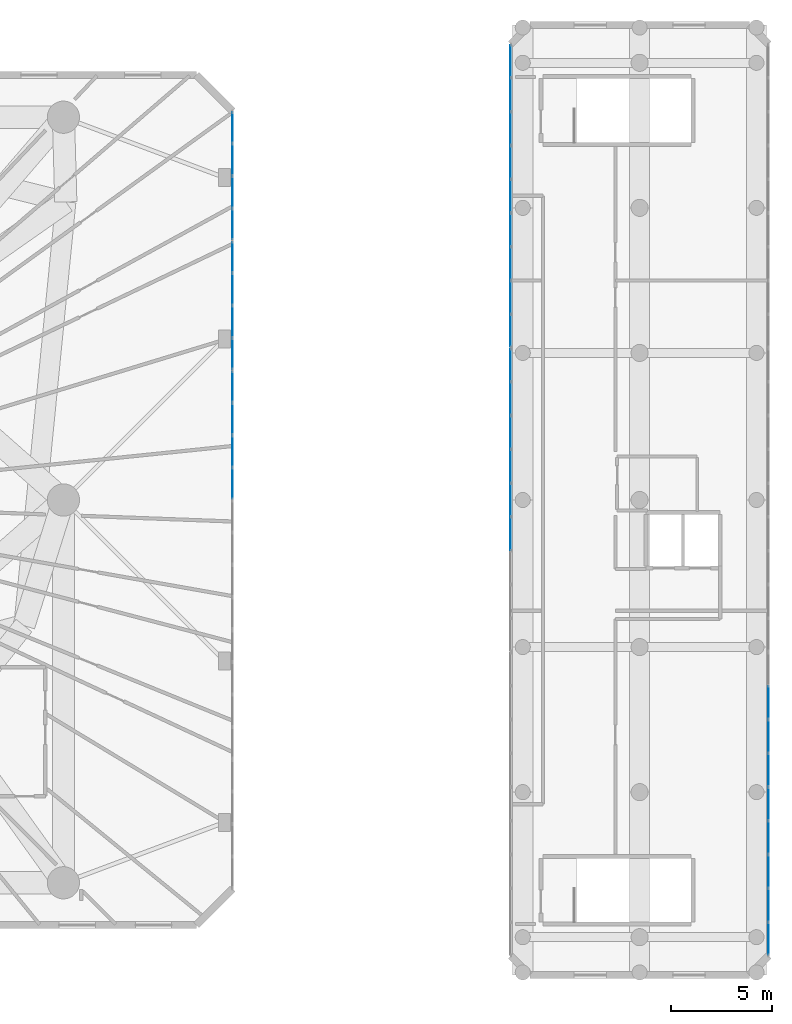
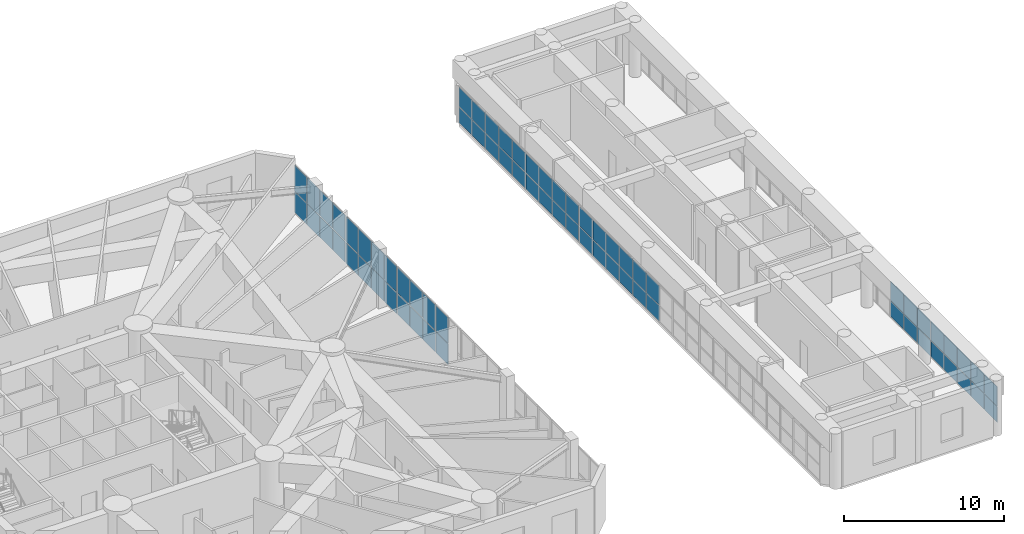
# One storey, part 11 of 22: 70 plates, 6 elements without a shape of their own.
"""IFC4 building model written with IfcOpenShell, lengths in metres."""

from ifc_helpers import new_model, si_unit, direction, frame, origin, origin_with_axes, origin_2d, place, context, subcontext, project, spatial, rectangle, extrude, source, transform, mapped, material, layer, layer_set, type_object, element, aggregate, save


model = new_model("IFC4")

# Units and contexts
model_context = context("Model", 3, precision=1e-05, world=origin(), true_north=direction((0.0, 1.0)))
body_context = subcontext(model_context, "Body", "Model", "MODEL_VIEW")
ifc_project = project(units=[si_unit("LENGTHUNIT", "METRE"), si_unit("AREAUNIT", "SQUARE_METRE"), si_unit("VOLUMEUNIT", "CUBIC_METRE"), si_unit("PLANEANGLEUNIT", "RADIAN"), si_unit("MASSUNIT", "GRAM", prefix="KILO")], contexts=[model_context])

# Site, building, storey
site_placement = place(None, origin())
site = spatial("IfcSite", under=ifc_project, at=site_placement, CompositionType="ELEMENT")
building_placement = place(site_placement, origin())
building = spatial("IfcBuilding", under=site, at=building_placement, Name="Karkom Vertical University and Central Library", CompositionType="ELEMENT")
storey_placement = place(building_placement, frame((0.0, 0.0, 18.0)))
storey = spatial("IfcBuildingStorey", under=building, at=storey_placement, Name="L04", CompositionType="ELEMENT", Elevation=18.0)

# Curtain wall, plates
ifc_material_1 = material(Name="Aluminium curtain-wall framing and low-E IGU", Category="aluminium")
ifc_layer_1 = layer(ifc_material_1, 0.199951171875)
ifc_layer_set_1 = layer_set([ifc_layer_1], Name="Aluminium curtain-wall framing and low-E IGU")
curtain_wall_type_1 = type_object("IfcCurtainWallType", Name="ENV-CW-4", PredefinedType="USERDEFINED", material=ifc_layer_set_1)
curtain_wall_1_placement = place(storey_placement, origin())
curtain_wall_1 = element("IfcCurtainWall", 1, at=curtain_wall_1_placement, inside=storey, type_object=curtain_wall_type_1, Name="Level 04 CW-4 Curtain Wall Level 04-CW4-3-4", ObjectType="UNITISED GLAZING", PredefinedType="USERDEFINED")
ifc_material_2 = material(Name="Solar-control low-E double glazing 32mm", Category="glass")
ifc_layer_2 = layer(ifc_material_2, 0.031982421875)
ifc_layer_set_2 = layer_set([ifc_layer_2], Name="Solar-control low-E double glazing 32mm")
plate_type_1 = type_object("IfcPlateType", Name="ENV-PLT-GLZ-32", PredefinedType="CURTAIN_PANEL", material=ifc_layer_set_2)
shared_shape_1 = source(origin_with_axes(), body_context, "Body", "SweptSolid", [
    extrude(rectangle(XDim=1.5107421875, YDim=0.031982421875, at=origin_2d()), origin(), (0.0, 0.0, 1.0), 1.57861328125),
])
plate_1_placement = place(storey_placement, frame((55.199951171875, 27.3203125, 0.06494140625), z_axis=(0.0, 0.0, 1.0), x_axis=(0.0, 1.0, 0.0)))
plate_1 = element("IfcPlate", 2, at=plate_1_placement, type_object=plate_type_1, Name="CW-4 panel 1.1", PredefinedType="CURTAIN_PANEL", context=body_context, shape_type="MappedRepresentation", body=[
    mapped(shared_shape_1, transform((0.0, 0.0, 0.0), scale=1.0)),
])
plate_2_placement = place(storey_placement, frame((55.199951171875, 32.11279296875, 0.06494140625), z_axis=(0.0, 0.0, 1.0), x_axis=(0.0, 1.0, 0.0)))
plate_2 = element("IfcPlate", 3, at=plate_2_placement, type_object=plate_type_1, Name="CW-4 panel 4.1", PredefinedType="CURTAIN_PANEL", context=body_context, shape_type="MappedRepresentation", body=[
    mapped(shared_shape_1, transform((0.0, 0.0, 0.0), scale=1.0)),
])

curtain_wall_2_placement = place(storey_placement, origin())
curtain_wall_2 = element("IfcCurtainWall", 4, at=curtain_wall_2_placement, inside=storey, type_object=curtain_wall_type_1, Name="Level 04 CW-4 Curtain Wall Level 04-CW4-3-5", ObjectType="UNITISED GLAZING", PredefinedType="USERDEFINED")
plate_3_placement = place(storey_placement, frame((55.199951171875, 33.753662109375, 0.06494140625), z_axis=(0.0, 0.0, 1.0), x_axis=(0.0, 1.0, 0.0)))
plate_3 = element("IfcPlate", 5, at=plate_3_placement, type_object=plate_type_1, Name="CW-4 panel 1.1", PredefinedType="CURTAIN_PANEL", context=body_context, shape_type="MappedRepresentation", body=[
    mapped(shared_shape_1, transform((0.0, 0.0, 0.0), scale=1.0)),
])
plate_4_placement = place(storey_placement, frame((55.199951171875, 38.54638671875, 0.06494140625), z_axis=(0.0, 0.0, 1.0), x_axis=(0.0, 1.0, 0.0)))
plate_4 = element("IfcPlate", 6, at=plate_4_placement, type_object=plate_type_1, Name="CW-4 panel 4.1", PredefinedType="CURTAIN_PANEL", context=body_context, shape_type="MappedRepresentation", body=[
    mapped(shared_shape_1, transform((0.0, 0.0, 0.0), scale=1.0)),
])

curtain_wall_3_placement = place(storey_placement, origin())
curtain_wall_3 = element("IfcCurtainWall", 7, at=curtain_wall_3_placement, inside=storey, type_object=curtain_wall_type_1, Name="Level 04 CW-4 Curtain Wall Level 04-CW4-3-6", ObjectType="UNITISED GLAZING", PredefinedType="USERDEFINED")
plate_5_placement = place(storey_placement, frame((55.199951171875, 40.18701171875, 0.06494140625), z_axis=(0.0, 0.0, 1.0), x_axis=(0.0, 1.0, 0.0)))
plate_5 = element("IfcPlate", 8, at=plate_5_placement, type_object=plate_type_1, Name="CW-4 panel 1.1", PredefinedType="CURTAIN_PANEL", context=body_context, shape_type="MappedRepresentation", body=[
    mapped(shared_shape_1, transform((0.0, 0.0, 0.0), scale=1.0)),
])
plate_6_placement = place(storey_placement, frame((55.199951171875, 44.9794921875, 0.06494140625), z_axis=(0.0, 0.0, 1.0), x_axis=(0.0, 1.0, 0.0)))
plate_6 = element("IfcPlate", 9, at=plate_6_placement, type_object=plate_type_1, Name="CW-4 panel 4.1", PredefinedType="CURTAIN_PANEL", context=body_context, shape_type="MappedRepresentation", body=[
    mapped(shared_shape_1, transform((0.0, 0.0, 0.0), scale=1.0)),
])

# Plate
shared_shape_2 = source(origin_with_axes(), body_context, "Body", "SweptSolid", [
    extrude(rectangle(XDim=1.5107421875, YDim=0.031982421875, at=origin_2d()), origin(), (0.0, 0.0, 1.0), 1.951416015625),
])
plate_7_placement = place(storey_placement, frame((55.199951171875, 27.3203125, 1.70849609375), z_axis=(0.0, 0.0, 1.0), x_axis=(0.0, 1.0, 0.0)))
plate_7 = element("IfcPlate", 10, at=plate_7_placement, type_object=plate_type_1, Name="CW-4 panel 1.2", PredefinedType="CURTAIN_PANEL", context=body_context, shape_type="MappedRepresentation", body=[
    mapped(shared_shape_2, transform((0.0, 0.0, 0.0), scale=1.0)),
])

plate_8_placement = place(storey_placement, frame((55.199951171875, 32.11279296875, 1.70849609375), z_axis=(0.0, 0.0, 1.0), x_axis=(0.0, 1.0, 0.0)))
plate_8 = element("IfcPlate", 11, at=plate_8_placement, type_object=plate_type_1, Name="CW-4 panel 4.2", PredefinedType="CURTAIN_PANEL", context=body_context, shape_type="MappedRepresentation", body=[
    mapped(shared_shape_2, transform((0.0, 0.0, 0.0), scale=1.0)),
])

plate_9_placement = place(storey_placement, frame((55.199951171875, 33.753662109375, 1.70849609375), z_axis=(0.0, 0.0, 1.0), x_axis=(0.0, 1.0, 0.0)))
plate_9 = element("IfcPlate", 12, at=plate_9_placement, type_object=plate_type_1, Name="CW-4 panel 1.2", PredefinedType="CURTAIN_PANEL", context=body_context, shape_type="MappedRepresentation", body=[
    mapped(shared_shape_2, transform((0.0, 0.0, 0.0), scale=1.0)),
])

plate_10_placement = place(storey_placement, frame((55.199951171875, 38.54638671875, 1.70849609375), z_axis=(0.0, 0.0, 1.0), x_axis=(0.0, 1.0, 0.0)))
plate_10 = element("IfcPlate", 13, at=plate_10_placement, type_object=plate_type_1, Name="CW-4 panel 4.2", PredefinedType="CURTAIN_PANEL", context=body_context, shape_type="MappedRepresentation", body=[
    mapped(shared_shape_2, transform((0.0, 0.0, 0.0), scale=1.0)),
])

plate_11_placement = place(storey_placement, frame((55.199951171875, 40.18701171875, 1.70849609375), z_axis=(0.0, 0.0, 1.0), x_axis=(0.0, 1.0, 0.0)))
plate_11 = element("IfcPlate", 14, at=plate_11_placement, type_object=plate_type_1, Name="CW-4 panel 1.2", PredefinedType="CURTAIN_PANEL", context=body_context, shape_type="MappedRepresentation", body=[
    mapped(shared_shape_2, transform((0.0, 0.0, 0.0), scale=1.0)),
])

plate_12_placement = place(storey_placement, frame((55.199951171875, 44.9794921875, 1.70849609375), z_axis=(0.0, 0.0, 1.0), x_axis=(0.0, 1.0, 0.0)))
plate_12 = element("IfcPlate", 15, at=plate_12_placement, type_object=plate_type_1, Name="CW-4 panel 4.2", PredefinedType="CURTAIN_PANEL", context=body_context, shape_type="MappedRepresentation", body=[
    mapped(shared_shape_2, transform((0.0, 0.0, 0.0), scale=1.0)),
])

shared_shape_3 = source(origin_with_axes(), body_context, "Body", "SweptSolid", [
    extrude(rectangle(XDim=1.543212890625, YDim=0.031982421875, at=origin_2d()), origin(), (0.0, 0.0, 1.0), 1.57861328125),
])
plate_13_placement = place(storey_placement, frame((55.199951171875, 28.91259765625, 0.06494140625), z_axis=(0.0, 0.0, 1.0), x_axis=(0.0, 1.0, 0.0)))
plate_13 = element("IfcPlate", 16, at=plate_13_placement, type_object=plate_type_1, Name="CW-4 panel 2.1", PredefinedType="CURTAIN_PANEL", context=body_context, shape_type="MappedRepresentation", body=[
    mapped(shared_shape_3, transform((0.0, 0.0, 0.0), scale=1.0)),
])

plate_14_placement = place(storey_placement, frame((55.199951171875, 30.520751953125, 0.06494140625), z_axis=(0.0, 0.0, 1.0), x_axis=(0.0, 1.0, 0.0)))
plate_14 = element("IfcPlate", 17, at=plate_14_placement, type_object=plate_type_1, Name="CW-4 panel 3.1", PredefinedType="CURTAIN_PANEL", context=body_context, shape_type="MappedRepresentation", body=[
    mapped(shared_shape_3, transform((0.0, 0.0, 0.0), scale=1.0)),
])

plate_15_placement = place(storey_placement, frame((55.199951171875, 41.779296875, 0.06494140625), z_axis=(0.0, 0.0, 1.0), x_axis=(0.0, 1.0, 0.0)))
plate_15 = element("IfcPlate", 18, at=plate_15_placement, type_object=plate_type_1, Name="CW-4 panel 2.1", PredefinedType="CURTAIN_PANEL", context=body_context, shape_type="MappedRepresentation", body=[
    mapped(shared_shape_3, transform((0.0, 0.0, 0.0), scale=1.0)),
])

plate_16_placement = place(storey_placement, frame((55.199951171875, 43.387451171875, 0.06494140625), z_axis=(0.0, 0.0, 1.0), x_axis=(0.0, 1.0, 0.0)))
plate_16 = element("IfcPlate", 19, at=plate_16_placement, type_object=plate_type_1, Name="CW-4 panel 3.1", PredefinedType="CURTAIN_PANEL", context=body_context, shape_type="MappedRepresentation", body=[
    mapped(shared_shape_3, transform((0.0, 0.0, 0.0), scale=1.0)),
])

shared_shape_4 = source(origin_with_axes(), body_context, "Body", "SweptSolid", [
    extrude(rectangle(XDim=1.543212890625, YDim=0.031982421875, at=origin_2d()), origin(), (0.0, 0.0, 1.0), 1.951416015625),
])
plate_17_placement = place(storey_placement, frame((55.199951171875, 28.91259765625, 1.70849609375), z_axis=(0.0, 0.0, 1.0), x_axis=(0.0, 1.0, 0.0)))
plate_17 = element("IfcPlate", 20, at=plate_17_placement, type_object=plate_type_1, Name="CW-4 panel 2.2", PredefinedType="CURTAIN_PANEL", context=body_context, shape_type="MappedRepresentation", body=[
    mapped(shared_shape_4, transform((0.0, 0.0, 0.0), scale=1.0)),
])

plate_18_placement = place(storey_placement, frame((55.199951171875, 30.520751953125, 1.70849609375), z_axis=(0.0, 0.0, 1.0), x_axis=(0.0, 1.0, 0.0)))
plate_18 = element("IfcPlate", 21, at=plate_18_placement, type_object=plate_type_1, Name="CW-4 panel 3.2", PredefinedType="CURTAIN_PANEL", context=body_context, shape_type="MappedRepresentation", body=[
    mapped(shared_shape_4, transform((0.0, 0.0, 0.0), scale=1.0)),
])

aggregate(curtain_wall_1, [plate_1, plate_7, plate_13, plate_17, plate_14, plate_18, plate_2, plate_8])

plate_19_placement = place(storey_placement, frame((55.199951171875, 41.779296875, 1.70849609375), z_axis=(0.0, 0.0, 1.0), x_axis=(0.0, 1.0, 0.0)))
plate_19 = element("IfcPlate", 22, at=plate_19_placement, type_object=plate_type_1, Name="CW-4 panel 2.2", PredefinedType="CURTAIN_PANEL", context=body_context, shape_type="MappedRepresentation", body=[
    mapped(shared_shape_4, transform((0.0, 0.0, 0.0), scale=1.0)),
])

plate_20_placement = place(storey_placement, frame((55.199951171875, 43.387451171875, 1.70849609375), z_axis=(0.0, 0.0, 1.0), x_axis=(0.0, 1.0, 0.0)))
plate_20 = element("IfcPlate", 23, at=plate_20_placement, type_object=plate_type_1, Name="CW-4 panel 3.2", PredefinedType="CURTAIN_PANEL", context=body_context, shape_type="MappedRepresentation", body=[
    mapped(shared_shape_4, transform((0.0, 0.0, 0.0), scale=1.0)),
])

aggregate(curtain_wall_3, [plate_5, plate_11, plate_15, plate_19, plate_16, plate_20, plate_6, plate_12])

shared_shape_5 = source(origin_with_axes(), body_context, "Body", "SweptSolid", [
    extrude(rectangle(XDim=1.54345703125, YDim=0.031982421875, at=origin_2d()), origin(), (0.0, 0.0, 1.0), 1.57861328125),
])
plate_21_placement = place(storey_placement, frame((55.199951171875, 35.345703125, 0.06494140625), z_axis=(0.0, 0.0, 1.0), x_axis=(0.0, 1.0, 0.0)))
plate_21 = element("IfcPlate", 24, at=plate_21_placement, type_object=plate_type_1, Name="CW-4 panel 2.1", PredefinedType="CURTAIN_PANEL", context=body_context, shape_type="MappedRepresentation", body=[
    mapped(shared_shape_5, transform((0.0, 0.0, 0.0), scale=1.0)),
])

plate_22_placement = place(storey_placement, frame((55.199951171875, 36.9541015625, 0.06494140625), z_axis=(0.0, 0.0, 1.0), x_axis=(0.0, 1.0, 0.0)))
plate_22 = element("IfcPlate", 25, at=plate_22_placement, type_object=plate_type_1, Name="CW-4 panel 3.1", PredefinedType="CURTAIN_PANEL", context=body_context, shape_type="MappedRepresentation", body=[
    mapped(shared_shape_5, transform((0.0, 0.0, 0.0), scale=1.0)),
])

shared_shape_6 = source(origin_with_axes(), body_context, "Body", "SweptSolid", [
    extrude(rectangle(XDim=1.54345703125, YDim=0.031982421875, at=origin_2d()), origin(), (0.0, 0.0, 1.0), 1.951416015625),
])
plate_23_placement = place(storey_placement, frame((55.199951171875, 35.345703125, 1.70849609375), z_axis=(0.0, 0.0, 1.0), x_axis=(0.0, 1.0, 0.0)))
plate_23 = element("IfcPlate", 26, at=plate_23_placement, type_object=plate_type_1, Name="CW-4 panel 2.2", PredefinedType="CURTAIN_PANEL", context=body_context, shape_type="MappedRepresentation", body=[
    mapped(shared_shape_6, transform((0.0, 0.0, 0.0), scale=1.0)),
])

plate_24_placement = place(storey_placement, frame((55.199951171875, 36.9541015625, 1.70849609375), z_axis=(0.0, 0.0, 1.0), x_axis=(0.0, 1.0, 0.0)))
plate_24 = element("IfcPlate", 27, at=plate_24_placement, type_object=plate_type_1, Name="CW-4 panel 3.2", PredefinedType="CURTAIN_PANEL", context=body_context, shape_type="MappedRepresentation", body=[
    mapped(shared_shape_6, transform((0.0, 0.0, 0.0), scale=1.0)),
])

aggregate(curtain_wall_2, [plate_3, plate_9, plate_21, plate_23, plate_22, plate_24, plate_4, plate_10])

# Curtain wall, plate
ifc_layer_3 = layer(ifc_material_1, 0.199951171875)
ifc_layer_set_3 = layer_set([ifc_layer_3], Name="Aluminium curtain-wall framing and low-E IGU")
curtain_wall_type_2 = type_object("IfcCurtainWallType", Name="ENV-CW-2", PredefinedType="USERDEFINED", material=ifc_layer_set_3)
curtain_wall_4_placement = place(storey_placement, origin())
curtain_wall_4 = element("IfcCurtainWall", 28, at=curtain_wall_4_placement, inside=storey, type_object=curtain_wall_type_2, Name="Level 04 CW-2 Curtain Wall Level 04-CW2-3-1", ObjectType="STICK MULLION GLAZING", PredefinedType="USERDEFINED")
ifc_material_3 = material(Name="Solar-control low-E double glazing 28mm", Category="glass")
ifc_layer_4 = layer(ifc_material_3, 0.028076171875)
ifc_layer_set_4 = layer_set([ifc_layer_4], Name="Solar-control low-E double glazing 28mm")
plate_type_2 = type_object("IfcPlateType", Name="ENV-PLT-GLZ-28", PredefinedType="CURTAIN_PANEL", material=ifc_layer_set_4)
shared_shape_7 = source(origin_with_axes(), body_context, "Body", "SweptSolid", [
    extrude(rectangle(XDim=1.586181640625, YDim=0.028076171875, at=origin_2d()), origin(), (0.0, 0.0, 1.0), 1.181396484375),
])
plate_25_placement = place(storey_placement, frame((81.800048828125, 4.72314453125, 0.06005859375), z_axis=(0.0, 0.0, 1.0), x_axis=(0.0, 1.0, 0.0)))
plate_25 = element("IfcPlate", 29, at=plate_25_placement, type_object=plate_type_2, Name="CW-2 panel 1.1", PredefinedType="CURTAIN_PANEL", context=body_context, shape_type="MappedRepresentation", body=[
    mapped(shared_shape_7, transform((0.0, 0.0, 0.0), scale=1.0)),
])

# Curtain wall, plates
curtain_wall_5_placement = place(storey_placement, origin())
curtain_wall_5 = element("IfcCurtainWall", 30, at=curtain_wall_5_placement, inside=storey, type_object=curtain_wall_type_2, Name="Level 04 CW-2 Curtain Wall Level 04-CW2-7-1", ObjectType="STICK MULLION GLAZING", PredefinedType="USERDEFINED")
plate_26_placement = place(storey_placement, frame((69.0, 48.27685546875, 0.06005859375), z_axis=(0.0, 0.0, 1.0), x_axis=(0.0, -1.0, 0.0)))
plate_26 = element("IfcPlate", 31, at=plate_26_placement, type_object=plate_type_2, Name="CW-2 panel 1.1", PredefinedType="CURTAIN_PANEL", context=body_context, shape_type="MappedRepresentation", body=[
    mapped(shared_shape_7, transform((0.0, 0.0, 0.0), scale=1.0)),
])
plate_27_placement = place(storey_placement, frame((69.0, 34.896484375, 0.06005859375), z_axis=(0.0, 0.0, 1.0), x_axis=(0.0, -1.0, 0.0)))
plate_27 = element("IfcPlate", 32, at=plate_27_placement, type_object=plate_type_2, Name="CW-2 panel 9.1", PredefinedType="CURTAIN_PANEL", context=body_context, shape_type="MappedRepresentation", body=[
    mapped(shared_shape_7, transform((0.0, 0.0, 0.0), scale=1.0)),
])

# Curtain wall, plate
curtain_wall_6_placement = place(storey_placement, origin())
curtain_wall_6 = element("IfcCurtainWall", 33, at=curtain_wall_6_placement, inside=storey, type_object=curtain_wall_type_2, Name="Level 04 CW-2 Curtain Wall Level 04-CW2-7-2", ObjectType="STICK MULLION GLAZING", PredefinedType="USERDEFINED")
plate_28_placement = place(storey_placement, frame((69.0, 33.190185546875, 0.06005859375), z_axis=(0.0, 0.0, 1.0), x_axis=(0.0, -1.0, 0.0)))
plate_28 = element("IfcPlate", 34, at=plate_28_placement, type_object=plate_type_2, Name="CW-2 panel 1.1", PredefinedType="CURTAIN_PANEL", context=body_context, shape_type="MappedRepresentation", body=[
    mapped(shared_shape_7, transform((0.0, 0.0, 0.0), scale=1.0)),
])

# Plate
shared_shape_8 = source(origin_with_axes(), body_context, "Body", "SweptSolid", [
    extrude(rectangle(XDim=1.586181640625, YDim=0.028076171875, at=origin_2d()), origin(), (0.0, 0.0, 1.0), 1.463623046875),
])
plate_29_placement = place(storey_placement, frame((81.800048828125, 4.72314453125, 1.30126953125), z_axis=(0.0, 0.0, 1.0), x_axis=(0.0, 1.0, 0.0)))
plate_29 = element("IfcPlate", 35, at=plate_29_placement, type_object=plate_type_2, Name="CW-2 panel 1.2", PredefinedType="CURTAIN_PANEL", context=body_context, shape_type="MappedRepresentation", body=[
    mapped(shared_shape_8, transform((0.0, 0.0, 0.0), scale=1.0)),
])

plate_30_placement = place(storey_placement, frame((69.0, 48.27685546875, 1.30126953125), z_axis=(0.0, 0.0, 1.0), x_axis=(0.0, -1.0, 0.0)))
plate_30 = element("IfcPlate", 36, at=plate_30_placement, type_object=plate_type_2, Name="CW-2 panel 1.2", PredefinedType="CURTAIN_PANEL", context=body_context, shape_type="MappedRepresentation", body=[
    mapped(shared_shape_8, transform((0.0, 0.0, 0.0), scale=1.0)),
])

plate_31_placement = place(storey_placement, frame((69.0, 34.896484375, 1.30126953125), z_axis=(0.0, 0.0, 1.0), x_axis=(0.0, -1.0, 0.0)))
plate_31 = element("IfcPlate", 37, at=plate_31_placement, type_object=plate_type_2, Name="CW-2 panel 9.2", PredefinedType="CURTAIN_PANEL", context=body_context, shape_type="MappedRepresentation", body=[
    mapped(shared_shape_8, transform((0.0, 0.0, 0.0), scale=1.0)),
])

plate_32_placement = place(storey_placement, frame((69.0, 33.190185546875, 1.30126953125), z_axis=(0.0, 0.0, 1.0), x_axis=(0.0, -1.0, 0.0)))
plate_32 = element("IfcPlate", 38, at=plate_32_placement, type_object=plate_type_2, Name="CW-2 panel 1.2", PredefinedType="CURTAIN_PANEL", context=body_context, shape_type="MappedRepresentation", body=[
    mapped(shared_shape_8, transform((0.0, 0.0, 0.0), scale=1.0)),
])

shared_shape_9 = source(origin_with_axes(), body_context, "Body", "SweptSolid", [
    extrude(rectangle(XDim=1.6162109375, YDim=0.028076171875, at=origin_2d()), origin(), (0.0, 0.0, 1.0), 1.181396484375),
])
plate_33_placement = place(storey_placement, frame((81.800048828125, 6.384521484375, 0.06005859375), z_axis=(0.0, 0.0, 1.0), x_axis=(0.0, 1.0, 0.0)))
plate_33 = element("IfcPlate", 39, at=plate_33_placement, type_object=plate_type_2, Name="CW-2 panel 2.1", PredefinedType="CURTAIN_PANEL", context=body_context, shape_type="MappedRepresentation", body=[
    mapped(shared_shape_9, transform((0.0, 0.0, 0.0), scale=1.0)),
])

plate_34_placement = place(storey_placement, frame((81.800048828125, 8.060791015625, 0.06005859375), z_axis=(0.0, 0.0, 1.0), x_axis=(0.0, 1.0, 0.0)))
plate_34 = element("IfcPlate", 40, at=plate_34_placement, type_object=plate_type_2, Name="CW-2 panel 3.1", PredefinedType="CURTAIN_PANEL", context=body_context, shape_type="MappedRepresentation", body=[
    mapped(shared_shape_9, transform((0.0, 0.0, 0.0), scale=1.0)),
])

plate_35_placement = place(storey_placement, frame((81.800048828125, 9.737060546875, 0.06005859375), z_axis=(0.0, 0.0, 1.0), x_axis=(0.0, 1.0, 0.0)))
plate_35 = element("IfcPlate", 41, at=plate_35_placement, type_object=plate_type_2, Name="CW-2 panel 4.1", PredefinedType="CURTAIN_PANEL", context=body_context, shape_type="MappedRepresentation", body=[
    mapped(shared_shape_9, transform((0.0, 0.0, 0.0), scale=1.0)),
])

plate_36_placement = place(storey_placement, frame((81.800048828125, 11.413330078125, 0.06005859375), z_axis=(0.0, 0.0, 1.0), x_axis=(0.0, 1.0, 0.0)))
plate_36 = element("IfcPlate", 42, at=plate_36_placement, type_object=plate_type_2, Name="CW-2 panel 5.1", PredefinedType="CURTAIN_PANEL", context=body_context, shape_type="MappedRepresentation", body=[
    mapped(shared_shape_9, transform((0.0, 0.0, 0.0), scale=1.0)),
])

plate_37_placement = place(storey_placement, frame((81.800048828125, 13.089599609375, 0.06005859375), z_axis=(0.0, 0.0, 1.0), x_axis=(0.0, 1.0, 0.0)))
plate_37 = element("IfcPlate", 43, at=plate_37_placement, type_object=plate_type_2, Name="CW-2 panel 6.1", PredefinedType="CURTAIN_PANEL", context=body_context, shape_type="MappedRepresentation", body=[
    mapped(shared_shape_9, transform((0.0, 0.0, 0.0), scale=1.0)),
])

plate_38_placement = place(storey_placement, frame((81.800048828125, 14.765869140625, 0.06005859375), z_axis=(0.0, 0.0, 1.0), x_axis=(0.0, 1.0, 0.0)))
plate_38 = element("IfcPlate", 44, at=plate_38_placement, type_object=plate_type_2, Name="CW-2 panel 7.1", PredefinedType="CURTAIN_PANEL", context=body_context, shape_type="MappedRepresentation", body=[
    mapped(shared_shape_9, transform((0.0, 0.0, 0.0), scale=1.0)),
])

plate_39_placement = place(storey_placement, frame((81.800048828125, 16.442138671875, 0.06005859375), z_axis=(0.0, 0.0, 1.0), x_axis=(0.0, 1.0, 0.0)))
plate_39 = element("IfcPlate", 45, at=plate_39_placement, type_object=plate_type_2, Name="CW-2 panel 8.1", PredefinedType="CURTAIN_PANEL", context=body_context, shape_type="MappedRepresentation", body=[
    mapped(shared_shape_9, transform((0.0, 0.0, 0.0), scale=1.0)),
])

plate_40_placement = place(storey_placement, frame((69.0, 46.615478515625, 0.06005859375), z_axis=(0.0, 0.0, 1.0), x_axis=(0.0, -1.0, 0.0)))
plate_40 = element("IfcPlate", 46, at=plate_40_placement, type_object=plate_type_2, Name="CW-2 panel 2.1", PredefinedType="CURTAIN_PANEL", context=body_context, shape_type="MappedRepresentation", body=[
    mapped(shared_shape_9, transform((0.0, 0.0, 0.0), scale=1.0)),
])

plate_41_placement = place(storey_placement, frame((69.0, 44.939208984375, 0.06005859375), z_axis=(0.0, 0.0, 1.0), x_axis=(0.0, -1.0, 0.0)))
plate_41 = element("IfcPlate", 47, at=plate_41_placement, type_object=plate_type_2, Name="CW-2 panel 3.1", PredefinedType="CURTAIN_PANEL", context=body_context, shape_type="MappedRepresentation", body=[
    mapped(shared_shape_9, transform((0.0, 0.0, 0.0), scale=1.0)),
])

plate_42_placement = place(storey_placement, frame((69.0, 43.262939453125, 0.06005859375), z_axis=(0.0, 0.0, 1.0), x_axis=(0.0, -1.0, 0.0)))
plate_42 = element("IfcPlate", 48, at=plate_42_placement, type_object=plate_type_2, Name="CW-2 panel 4.1", PredefinedType="CURTAIN_PANEL", context=body_context, shape_type="MappedRepresentation", body=[
    mapped(shared_shape_9, transform((0.0, 0.0, 0.0), scale=1.0)),
])

plate_43_placement = place(storey_placement, frame((69.0, 41.586669921875, 0.06005859375), z_axis=(0.0, 0.0, 1.0), x_axis=(0.0, -1.0, 0.0)))
plate_43 = element("IfcPlate", 49, at=plate_43_placement, type_object=plate_type_2, Name="CW-2 panel 5.1", PredefinedType="CURTAIN_PANEL", context=body_context, shape_type="MappedRepresentation", body=[
    mapped(shared_shape_9, transform((0.0, 0.0, 0.0), scale=1.0)),
])

plate_44_placement = place(storey_placement, frame((69.0, 39.910400390625, 0.06005859375), z_axis=(0.0, 0.0, 1.0), x_axis=(0.0, -1.0, 0.0)))
plate_44 = element("IfcPlate", 50, at=plate_44_placement, type_object=plate_type_2, Name="CW-2 panel 6.1", PredefinedType="CURTAIN_PANEL", context=body_context, shape_type="MappedRepresentation", body=[
    mapped(shared_shape_9, transform((0.0, 0.0, 0.0), scale=1.0)),
])

plate_45_placement = place(storey_placement, frame((69.0, 38.234130859375, 0.06005859375), z_axis=(0.0, 0.0, 1.0), x_axis=(0.0, -1.0, 0.0)))
plate_45 = element("IfcPlate", 51, at=plate_45_placement, type_object=plate_type_2, Name="CW-2 panel 7.1", PredefinedType="CURTAIN_PANEL", context=body_context, shape_type="MappedRepresentation", body=[
    mapped(shared_shape_9, transform((0.0, 0.0, 0.0), scale=1.0)),
])

plate_46_placement = place(storey_placement, frame((69.0, 36.557861328125, 0.06005859375), z_axis=(0.0, 0.0, 1.0), x_axis=(0.0, -1.0, 0.0)))
plate_46 = element("IfcPlate", 52, at=plate_46_placement, type_object=plate_type_2, Name="CW-2 panel 8.1", PredefinedType="CURTAIN_PANEL", context=body_context, shape_type="MappedRepresentation", body=[
    mapped(shared_shape_9, transform((0.0, 0.0, 0.0), scale=1.0)),
])

plate_47_placement = place(storey_placement, frame((69.0, 31.52880859375, 0.06005859375), z_axis=(0.0, 0.0, 1.0), x_axis=(0.0, -1.0, 0.0)))
plate_47 = element("IfcPlate", 53, at=plate_47_placement, type_object=plate_type_2, Name="CW-2 panel 2.1", PredefinedType="CURTAIN_PANEL", context=body_context, shape_type="MappedRepresentation", body=[
    mapped(shared_shape_9, transform((0.0, 0.0, 0.0), scale=1.0)),
])

plate_48_placement = place(storey_placement, frame((69.0, 29.8525390625, 0.06005859375), z_axis=(0.0, 0.0, 1.0), x_axis=(0.0, -1.0, 0.0)))
plate_48 = element("IfcPlate", 54, at=plate_48_placement, type_object=plate_type_2, Name="CW-2 panel 3.1", PredefinedType="CURTAIN_PANEL", context=body_context, shape_type="MappedRepresentation", body=[
    mapped(shared_shape_9, transform((0.0, 0.0, 0.0), scale=1.0)),
])

plate_49_placement = place(storey_placement, frame((69.0, 28.17626953125, 0.06005859375), z_axis=(0.0, 0.0, 1.0), x_axis=(0.0, -1.0, 0.0)))
plate_49 = element("IfcPlate", 55, at=plate_49_placement, type_object=plate_type_2, Name="CW-2 panel 4.1", PredefinedType="CURTAIN_PANEL", context=body_context, shape_type="MappedRepresentation", body=[
    mapped(shared_shape_9, transform((0.0, 0.0, 0.0), scale=1.0)),
])

plate_50_placement = place(storey_placement, frame((69.0, 26.5, 0.06005859375), z_axis=(0.0, 0.0, 1.0), x_axis=(0.0, -1.0, 0.0)))
plate_50 = element("IfcPlate", 56, at=plate_50_placement, type_object=plate_type_2, Name="CW-2 panel 5.1", PredefinedType="CURTAIN_PANEL", context=body_context, shape_type="MappedRepresentation", body=[
    mapped(shared_shape_9, transform((0.0, 0.0, 0.0), scale=1.0)),
])

plate_51_placement = place(storey_placement, frame((69.0, 24.82373046875, 0.06005859375), z_axis=(0.0, 0.0, 1.0), x_axis=(0.0, -1.0, 0.0)))
plate_51 = element("IfcPlate", 57, at=plate_51_placement, type_object=plate_type_2, Name="CW-2 panel 6.1", PredefinedType="CURTAIN_PANEL", context=body_context, shape_type="MappedRepresentation", body=[
    mapped(shared_shape_9, transform((0.0, 0.0, 0.0), scale=1.0)),
])

shared_shape_10 = source(origin_with_axes(), body_context, "Body", "SweptSolid", [
    extrude(rectangle(XDim=1.6162109375, YDim=0.028076171875, at=origin_2d()), origin(), (0.0, 0.0, 1.0), 1.463623046875),
])
plate_52_placement = place(storey_placement, frame((81.800048828125, 6.384521484375, 1.30126953125), z_axis=(0.0, 0.0, 1.0), x_axis=(0.0, 1.0, 0.0)))
plate_52 = element("IfcPlate", 58, at=plate_52_placement, type_object=plate_type_2, Name="CW-2 panel 2.2", PredefinedType="CURTAIN_PANEL", context=body_context, shape_type="MappedRepresentation", body=[
    mapped(shared_shape_10, transform((0.0, 0.0, 0.0), scale=1.0)),
])

plate_53_placement = place(storey_placement, frame((81.800048828125, 8.060791015625, 1.30126953125), z_axis=(0.0, 0.0, 1.0), x_axis=(0.0, 1.0, 0.0)))
plate_53 = element("IfcPlate", 59, at=plate_53_placement, type_object=plate_type_2, Name="CW-2 panel 3.2", PredefinedType="CURTAIN_PANEL", context=body_context, shape_type="MappedRepresentation", body=[
    mapped(shared_shape_10, transform((0.0, 0.0, 0.0), scale=1.0)),
])

plate_54_placement = place(storey_placement, frame((81.800048828125, 9.737060546875, 1.30126953125), z_axis=(0.0, 0.0, 1.0), x_axis=(0.0, 1.0, 0.0)))
plate_54 = element("IfcPlate", 60, at=plate_54_placement, type_object=plate_type_2, Name="CW-2 panel 4.2", PredefinedType="CURTAIN_PANEL", context=body_context, shape_type="MappedRepresentation", body=[
    mapped(shared_shape_10, transform((0.0, 0.0, 0.0), scale=1.0)),
])

plate_55_placement = place(storey_placement, frame((81.800048828125, 11.413330078125, 1.30126953125), z_axis=(0.0, 0.0, 1.0), x_axis=(0.0, 1.0, 0.0)))
plate_55 = element("IfcPlate", 61, at=plate_55_placement, type_object=plate_type_2, Name="CW-2 panel 5.2", PredefinedType="CURTAIN_PANEL", context=body_context, shape_type="MappedRepresentation", body=[
    mapped(shared_shape_10, transform((0.0, 0.0, 0.0), scale=1.0)),
])

plate_56_placement = place(storey_placement, frame((81.800048828125, 13.089599609375, 1.30126953125), z_axis=(0.0, 0.0, 1.0), x_axis=(0.0, 1.0, 0.0)))
plate_56 = element("IfcPlate", 62, at=plate_56_placement, type_object=plate_type_2, Name="CW-2 panel 6.2", PredefinedType="CURTAIN_PANEL", context=body_context, shape_type="MappedRepresentation", body=[
    mapped(shared_shape_10, transform((0.0, 0.0, 0.0), scale=1.0)),
])

plate_57_placement = place(storey_placement, frame((81.800048828125, 14.765869140625, 1.30126953125), z_axis=(0.0, 0.0, 1.0), x_axis=(0.0, 1.0, 0.0)))
plate_57 = element("IfcPlate", 63, at=plate_57_placement, type_object=plate_type_2, Name="CW-2 panel 7.2", PredefinedType="CURTAIN_PANEL", context=body_context, shape_type="MappedRepresentation", body=[
    mapped(shared_shape_10, transform((0.0, 0.0, 0.0), scale=1.0)),
])

plate_58_placement = place(storey_placement, frame((81.800048828125, 16.442138671875, 1.30126953125), z_axis=(0.0, 0.0, 1.0), x_axis=(0.0, 1.0, 0.0)))
plate_58 = element("IfcPlate", 64, at=plate_58_placement, type_object=plate_type_2, Name="CW-2 panel 8.2", PredefinedType="CURTAIN_PANEL", context=body_context, shape_type="MappedRepresentation", body=[
    mapped(shared_shape_10, transform((0.0, 0.0, 0.0), scale=1.0)),
])

aggregate(curtain_wall_4, [plate_25, plate_29, plate_33, plate_52, plate_34, plate_53, plate_35, plate_54, plate_36, plate_55, plate_37, plate_56, plate_38, plate_57, plate_39, plate_58])

plate_59_placement = place(storey_placement, frame((69.0, 46.615478515625, 1.30126953125), z_axis=(0.0, 0.0, 1.0), x_axis=(0.0, -1.0, 0.0)))
plate_59 = element("IfcPlate", 65, at=plate_59_placement, type_object=plate_type_2, Name="CW-2 panel 2.2", PredefinedType="CURTAIN_PANEL", context=body_context, shape_type="MappedRepresentation", body=[
    mapped(shared_shape_10, transform((0.0, 0.0, 0.0), scale=1.0)),
])

plate_60_placement = place(storey_placement, frame((69.0, 44.939208984375, 1.30126953125), z_axis=(0.0, 0.0, 1.0), x_axis=(0.0, -1.0, 0.0)))
plate_60 = element("IfcPlate", 66, at=plate_60_placement, type_object=plate_type_2, Name="CW-2 panel 3.2", PredefinedType="CURTAIN_PANEL", context=body_context, shape_type="MappedRepresentation", body=[
    mapped(shared_shape_10, transform((0.0, 0.0, 0.0), scale=1.0)),
])

plate_61_placement = place(storey_placement, frame((69.0, 43.262939453125, 1.30126953125), z_axis=(0.0, 0.0, 1.0), x_axis=(0.0, -1.0, 0.0)))
plate_61 = element("IfcPlate", 67, at=plate_61_placement, type_object=plate_type_2, Name="CW-2 panel 4.2", PredefinedType="CURTAIN_PANEL", context=body_context, shape_type="MappedRepresentation", body=[
    mapped(shared_shape_10, transform((0.0, 0.0, 0.0), scale=1.0)),
])

plate_62_placement = place(storey_placement, frame((69.0, 41.586669921875, 1.30126953125), z_axis=(0.0, 0.0, 1.0), x_axis=(0.0, -1.0, 0.0)))
plate_62 = element("IfcPlate", 68, at=plate_62_placement, type_object=plate_type_2, Name="CW-2 panel 5.2", PredefinedType="CURTAIN_PANEL", context=body_context, shape_type="MappedRepresentation", body=[
    mapped(shared_shape_10, transform((0.0, 0.0, 0.0), scale=1.0)),
])

plate_63_placement = place(storey_placement, frame((69.0, 39.910400390625, 1.30126953125), z_axis=(0.0, 0.0, 1.0), x_axis=(0.0, -1.0, 0.0)))
plate_63 = element("IfcPlate", 69, at=plate_63_placement, type_object=plate_type_2, Name="CW-2 panel 6.2", PredefinedType="CURTAIN_PANEL", context=body_context, shape_type="MappedRepresentation", body=[
    mapped(shared_shape_10, transform((0.0, 0.0, 0.0), scale=1.0)),
])

plate_64_placement = place(storey_placement, frame((69.0, 38.234130859375, 1.30126953125), z_axis=(0.0, 0.0, 1.0), x_axis=(0.0, -1.0, 0.0)))
plate_64 = element("IfcPlate", 70, at=plate_64_placement, type_object=plate_type_2, Name="CW-2 panel 7.2", PredefinedType="CURTAIN_PANEL", context=body_context, shape_type="MappedRepresentation", body=[
    mapped(shared_shape_10, transform((0.0, 0.0, 0.0), scale=1.0)),
])

plate_65_placement = place(storey_placement, frame((69.0, 36.557861328125, 1.30126953125), z_axis=(0.0, 0.0, 1.0), x_axis=(0.0, -1.0, 0.0)))
plate_65 = element("IfcPlate", 71, at=plate_65_placement, type_object=plate_type_2, Name="CW-2 panel 8.2", PredefinedType="CURTAIN_PANEL", context=body_context, shape_type="MappedRepresentation", body=[
    mapped(shared_shape_10, transform((0.0, 0.0, 0.0), scale=1.0)),
])

aggregate(curtain_wall_5, [plate_26, plate_30, plate_40, plate_59, plate_41, plate_60, plate_42, plate_61, plate_43, plate_62, plate_44, plate_63, plate_45, plate_64, plate_46, plate_65, plate_27, plate_31])

plate_66_placement = place(storey_placement, frame((69.0, 31.52880859375, 1.30126953125), z_axis=(0.0, 0.0, 1.0), x_axis=(0.0, -1.0, 0.0)))
plate_66 = element("IfcPlate", 72, at=plate_66_placement, type_object=plate_type_2, Name="CW-2 panel 2.2", PredefinedType="CURTAIN_PANEL", context=body_context, shape_type="MappedRepresentation", body=[
    mapped(shared_shape_10, transform((0.0, 0.0, 0.0), scale=1.0)),
])

plate_67_placement = place(storey_placement, frame((69.0, 29.8525390625, 1.30126953125), z_axis=(0.0, 0.0, 1.0), x_axis=(0.0, -1.0, 0.0)))
plate_67 = element("IfcPlate", 73, at=plate_67_placement, type_object=plate_type_2, Name="CW-2 panel 3.2", PredefinedType="CURTAIN_PANEL", context=body_context, shape_type="MappedRepresentation", body=[
    mapped(shared_shape_10, transform((0.0, 0.0, 0.0), scale=1.0)),
])

plate_68_placement = place(storey_placement, frame((69.0, 28.17626953125, 1.30126953125), z_axis=(0.0, 0.0, 1.0), x_axis=(0.0, -1.0, 0.0)))
plate_68 = element("IfcPlate", 74, at=plate_68_placement, type_object=plate_type_2, Name="CW-2 panel 4.2", PredefinedType="CURTAIN_PANEL", context=body_context, shape_type="MappedRepresentation", body=[
    mapped(shared_shape_10, transform((0.0, 0.0, 0.0), scale=1.0)),
])

plate_69_placement = place(storey_placement, frame((69.0, 26.5, 1.30126953125), z_axis=(0.0, 0.0, 1.0), x_axis=(0.0, -1.0, 0.0)))
plate_69 = element("IfcPlate", 75, at=plate_69_placement, type_object=plate_type_2, Name="CW-2 panel 5.2", PredefinedType="CURTAIN_PANEL", context=body_context, shape_type="MappedRepresentation", body=[
    mapped(shared_shape_10, transform((0.0, 0.0, 0.0), scale=1.0)),
])

plate_70_placement = place(storey_placement, frame((69.0, 24.82373046875, 1.30126953125), z_axis=(0.0, 0.0, 1.0), x_axis=(0.0, -1.0, 0.0)))
plate_70 = element("IfcPlate", 76, at=plate_70_placement, type_object=plate_type_2, Name="CW-2 panel 6.2", PredefinedType="CURTAIN_PANEL", context=body_context, shape_type="MappedRepresentation", body=[
    mapped(shared_shape_10, transform((0.0, 0.0, 0.0), scale=1.0)),
])

aggregate(curtain_wall_6, [plate_28, plate_32, plate_47, plate_66, plate_48, plate_67, plate_49, plate_68, plate_50, plate_69, plate_51, plate_70])

save(model, "model.ifc")
